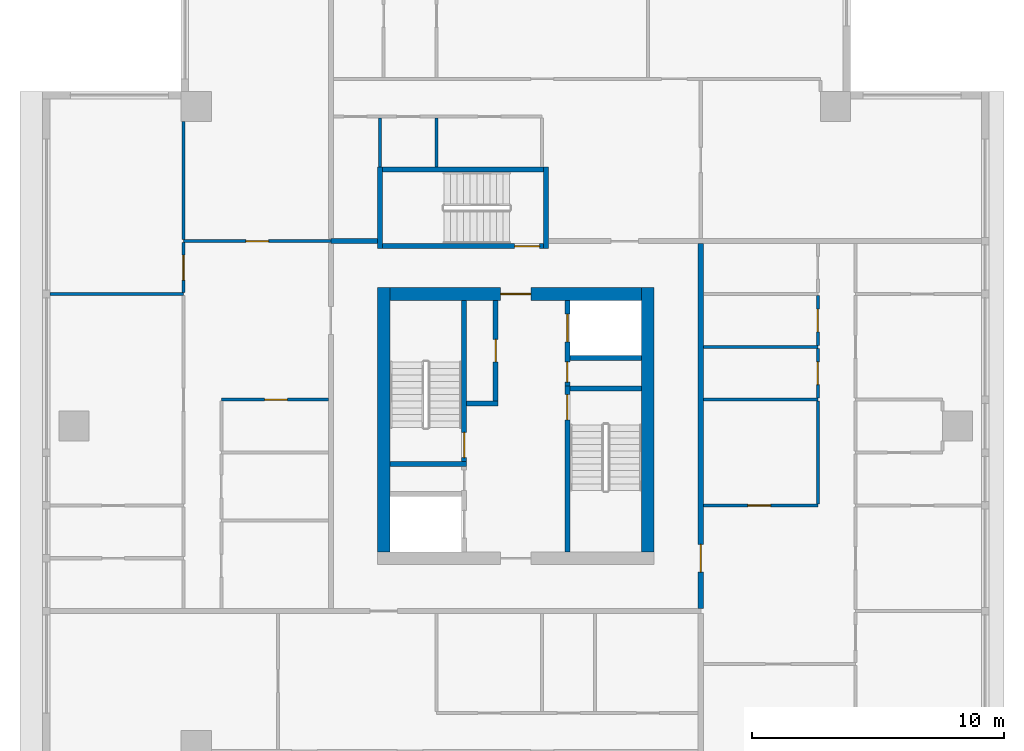
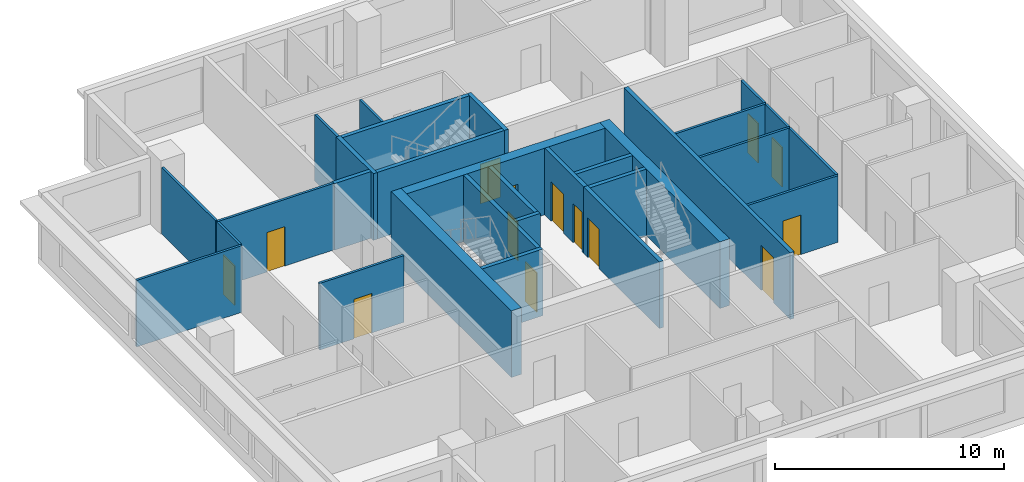
# One storey, part 3 of 8: 30 walls, 14 doors, 14 openings.
"""IFC4 building model written with IfcOpenShell, lengths in metres."""

from ifc_helpers import new_model, si_unit, direction, frame, frame_2d, origin, place, context, subcontext, project, spatial, rectangle, extrude, material, layer, layer_set, type_object, element, fill, save


model = new_model("IFC4")

# Units and contexts
model_context = context("Model", 3, precision=1e-05, world=origin(), true_north=direction((0.0, 1.0)))
body_context = subcontext(model_context, "Body", "Model", "MODEL_VIEW")
ifc_project = project(units=[si_unit("LENGTHUNIT", "METRE"), si_unit("AREAUNIT", "SQUARE_METRE"), si_unit("VOLUMEUNIT", "CUBIC_METRE"), si_unit("PLANEANGLEUNIT", "RADIAN"), si_unit("MASSUNIT", "GRAM", prefix="KILO")], contexts=[model_context])

# Site, building, storey
site_placement = place(None, origin())
site = spatial("IfcSite", under=ifc_project, at=site_placement, CompositionType="ELEMENT")
building_placement = place(site_placement, origin())
building = spatial("IfcBuilding", under=site, at=building_placement, Name="Khepri Terraces", CompositionType="ELEMENT")
storey_placement = place(building_placement, frame((0.0, 0.0, 304.5)))
storey = spatial("IfcBuildingStorey", under=building, at=storey_placement, Name="L73", CompositionType="ELEMENT", Elevation=304.5)

# Wall, opening, door
ifc_material_1 = material(Name="Concrete C40/50", Category="concrete")
ifc_layer_1 = layer(ifc_material_1, 0.199951171875, Name="Concrete C40/50", Category="concrete")
ifc_layer_set_1 = layer_set([ifc_layer_1], Name="Concrete C40/50")
wall_type_1 = type_object("IfcWallType", Name="Core wall 200 C40/50", PredefinedType="SHEAR", material=ifc_layer_set_1)
wall_1_placement = place(storey_placement, frame((2.050048828125, -5.0, 0.0), z_axis=(0.0, 0.0, 1.0), x_axis=(0.0, 1.0, 0.0)))
wall_1 = element("IfcWall", 1, at=wall_1_placement, inside=storey, type_object=wall_type_1, Name="Core wall ST01 L73", PredefinedType="SHEAR", context=body_context, shape_type="SweptSolid", body=[
    extrude(rectangle(XDim=6.60009765625, YDim=0.199951171875, at=frame_2d((3.300048828125, 0.0))), origin(), (0.0, 0.0, 1.0), 3.550048828125),
])
opening_1_placement = place(wall_1_placement, frame((5.25, 0.0, 0.0)))
opening_1 = element("IfcOpeningElement", 2, at=opening_1_placement, cuts=wall_1, Name="Opening L73-C04", PredefinedType="OPENING", context=body_context, shape_type="SweptSolid", body=[
    extrude(rectangle(XDim=1.0, YDim=2.10009765625, at=frame_2d((0.5, 1.050048828125))), frame((0.0, 0.10986328125, 0.0), z_axis=(0.0, -1.0, 0.0), x_axis=(1.0, 0.0, 0.0)), (0.0, 0.0, 1.0), 0.219970703125),
])
ifc_material_2 = material(Name="Painted steel", Category="steel")
door_type_1 = type_object("IfcDoorType", Name="DR-CORE-STAIR-1000", OperationType="NOTDEFINED", PredefinedType="DOOR", material=ifc_material_2)
door_1_placement = place(opening_1_placement, frame((1.0, 0.0, 0.0), z_axis=(0.0, 0.0, 1.0), x_axis=(-1.0, 0.0, 0.0)))
door_1 = element("IfcDoor", 3, at=door_1_placement, inside=storey, type_object=door_type_1, Name="Stair door L73-C04", OperationType="SINGLE_SWING_LEFT", OverallHeight=2.10009765625, OverallWidth=1.0, PredefinedType="DOOR", context=body_context, shape_type="SweptSolid", body=[
    extrude(rectangle(XDim=1.0, YDim=2.10009765625, at=frame_2d((0.5, 1.050048828125))), frame((0.0, 0.02490234375, 0.0), z_axis=(0.0, -1.0, 0.0), x_axis=(1.0, 0.0, 0.0)), (0.0, 0.0, 1.0), 0.050048828125),
])
fill(opening_1, door_1)

# Wall
wall_2_placement = place(storey_placement, frame((-5.0, -1.5, 0.0), z_axis=(0.0, 0.0, 1.0), x_axis=(1.0, 0.0, 0.0)))
element("IfcWall", 4, at=wall_2_placement, inside=storey, type_object=wall_type_1, Name="Core wall ST02 L73", PredefinedType="SHEAR", context=body_context, shape_type="SweptSolid", body=[
    extrude(rectangle(XDim=3.050048828125, YDim=0.199951171875, at=frame_2d((1.52490234375, 0.0))), origin(), (0.0, 0.0, 1.0), 3.550048828125),
])

# Wall, opening, door
wall_3_placement = place(storey_placement, frame((-2.050048828125, -1.39990234375, 0.0), z_axis=(0.0, 0.0, 1.0), x_axis=(0.0, 1.0, 0.0)))
wall_3 = element("IfcWall", 5, at=wall_3_placement, inside=storey, type_object=wall_type_1, Name="Core wall ST03 L73", PredefinedType="SHEAR", context=body_context, shape_type="SweptSolid", body=[
    extrude(rectangle(XDim=6.39990234375, YDim=0.199951171875, at=frame_2d((3.199951171875, 0.0))), origin(), (0.0, 0.0, 1.0), 3.550048828125),
])
opening_2_placement = place(wall_3_placement, frame((0.14990234375, 0.0, 0.0)))
opening_2 = element("IfcOpeningElement", 6, at=opening_2_placement, cuts=wall_3, Name="Opening L73-C03", PredefinedType="OPENING", context=body_context, shape_type="SweptSolid", body=[
    extrude(rectangle(XDim=1.0, YDim=2.10009765625, at=frame_2d((0.5, 1.050048828125))), frame((0.0, 0.10986328125, 0.0), z_axis=(0.0, -1.0, 0.0), x_axis=(1.0, 0.0, 0.0)), (0.0, 0.0, 1.0), 0.219970703125),
])
door_2_placement = place(opening_2_placement, origin())
door_2 = element("IfcDoor", 7, at=door_2_placement, inside=storey, type_object=door_type_1, Name="Stair door L73-C03", OperationType="SINGLE_SWING_LEFT", OverallHeight=2.10009765625, OverallWidth=1.0, PredefinedType="DOOR", context=body_context, shape_type="SweptSolid", body=[
    extrude(rectangle(XDim=1.0, YDim=2.10009765625, at=frame_2d((0.5, 1.050048828125))), frame((0.0, 0.02490234375, 0.0), z_axis=(0.0, -1.0, 0.0), x_axis=(1.0, 0.0, 0.0)), (0.0, 0.0, 1.0), 0.050048828125),
])
fill(opening_2, door_2)

# Walls
wall_4_placement = place(storey_placement, frame((2.14990234375, 1.5, 0.0), z_axis=(0.0, 0.0, 1.0), x_axis=(1.0, 0.0, 0.0)))
element("IfcWall", 8, at=wall_4_placement, inside=storey, type_object=wall_type_1, Name="Core wall ST04 L73", PredefinedType="SHEAR", context=body_context, shape_type="SweptSolid", body=[
    extrude(rectangle(XDim=2.85009765625, YDim=0.199951171875, at=frame_2d((1.425048828125, 0.0))), origin(), (0.0, 0.0, 1.0), 3.550048828125),
])
wall_5_placement = place(storey_placement, frame((-1.949951171875, 0.89990234375, 0.0), z_axis=(0.0, 0.0, 1.0), x_axis=(1.0, 0.0, 0.0)))
element("IfcWall", 9, at=wall_5_placement, inside=storey, type_object=wall_type_1, Name="Core wall SH03 L73", PredefinedType="SHEAR", context=body_context, shape_type="SweptSolid", body=[
    extrude(rectangle(XDim=1.25, YDim=0.199951171875, at=frame_2d((0.625, 0.0))), origin(), (0.0, 0.0, 1.0), 3.550048828125),
])

# Wall, opening, door
wall_6_placement = place(storey_placement, frame((-0.800048828125, 1.0, 0.0), z_axis=(0.0, 0.0, 1.0), x_axis=(0.0, 1.0, 0.0)))
wall_6 = element("IfcWall", 10, at=wall_6_placement, inside=storey, type_object=wall_type_1, Name="Core wall SH04 L73", PredefinedType="SHEAR", context=body_context, shape_type="SweptSolid", body=[
    extrude(rectangle(XDim=4.0, YDim=0.199951171875, at=frame_2d((2.0, 0.0))), origin(), (0.0, 0.0, 1.0), 3.550048828125),
])
opening_3_placement = place(wall_6_placement, frame((1.550048828125, 0.0, 0.0)))
opening_3 = element("IfcOpeningElement", 11, at=opening_3_placement, cuts=wall_6, Name="Opening L73-C08", PredefinedType="OPENING", context=body_context, shape_type="SweptSolid", body=[
    extrude(rectangle(XDim=0.89990234375, YDim=2.10009765625, at=frame_2d((0.449951171875, 1.050048828125))), frame((0.0, 0.10986328125, 0.0), z_axis=(0.0, -1.0, 0.0), x_axis=(1.0, 0.0, 0.0)), (0.0, 0.0, 1.0), 0.219970703125),
])
door_type_2 = type_object("IfcDoorType", Name="DR-CORE-SERVICE-900", OperationType="NOTDEFINED", PredefinedType="DOOR", material=ifc_material_2)
door_3_placement = place(opening_3_placement, origin())
door_3 = element("IfcDoor", 12, at=door_3_placement, inside=storey, type_object=door_type_2, Name="Service room door L73-C08", OperationType="SINGLE_SWING_RIGHT", OverallHeight=2.10009765625, OverallWidth=0.89990234375, PredefinedType="DOOR", context=body_context, shape_type="SweptSolid", body=[
    extrude(rectangle(XDim=0.89990234375, YDim=2.10009765625, at=frame_2d((0.449951171875, 1.050048828125))), frame((0.0, 0.02490234375, 0.0), z_axis=(0.0, -1.0, 0.0), x_axis=(1.0, 0.0, 0.0)), (0.0, 0.0, 1.0), 0.050048828125),
])
fill(opening_3, door_3)

# Wall, openings, doors
wall_7_placement = place(storey_placement, frame((2.050048828125, 1.60009765625, 0.0), z_axis=(0.0, 0.0, 1.0), x_axis=(0.0, 1.0, 0.0)))
wall_7 = element("IfcWall", 13, at=wall_7_placement, inside=storey, type_object=wall_type_1, Name="Core wall SH05 L73", PredefinedType="SHEAR", context=body_context, shape_type="SweptSolid", body=[
    extrude(rectangle(XDim=3.39990234375, YDim=0.199951171875, at=frame_2d((1.699951171875, 0.0))), origin(), (0.0, 0.0, 1.0), 3.550048828125),
])
opening_4_placement = place(wall_7_placement, frame((1.75, 0.0, 0.0)))
opening_4 = element("IfcOpeningElement", 14, at=opening_4_placement, cuts=wall_7, Name="Opening L73-C01", PredefinedType="OPENING", context=body_context, shape_type="SweptSolid", body=[
    extrude(rectangle(XDim=1.10009765625, YDim=2.10009765625, at=frame_2d((0.550048828125, 1.050048828125))), frame((0.0, 0.10986328125, 0.0), z_axis=(0.0, -1.0, 0.0), x_axis=(1.0, 0.0, 0.0)), (0.0, 0.0, 1.0), 0.219970703125),
])
opening_5_placement = place(wall_7_placement, frame((0.14990234375, 0.0, 0.0)))
opening_5 = element("IfcOpeningElement", 15, at=opening_5_placement, cuts=wall_7, Name="Opening L73-C05", PredefinedType="OPENING", context=body_context, shape_type="SweptSolid", body=[
    extrude(rectangle(XDim=0.800048828125, YDim=2.10009765625, at=frame_2d((0.39990234375, 1.050048828125))), frame((0.0, 0.10986328125, 0.0), z_axis=(0.0, -1.0, 0.0), x_axis=(1.0, 0.0, 0.0)), (0.0, 0.0, 1.0), 0.219970703125),
])
ifc_material_3 = material(Name="Stainless steel 304", Category="steel")
door_type_3 = type_object("IfcDoorType", Name="DR-CORE-FF-LANDING-1100", OperationType="NOTDEFINED", PredefinedType="DOOR", material=ifc_material_3)
door_4_placement = place(opening_4_placement, origin())
door_4 = element("IfcDoor", 16, at=door_4_placement, inside=storey, type_object=door_type_3, Name="Firefighting lift landing door L73-C01", OperationType="SLIDING_TO_LEFT", OverallHeight=2.10009765625, OverallWidth=1.10009765625, PredefinedType="DOOR", context=body_context, shape_type="SweptSolid", body=[
    extrude(rectangle(XDim=1.10009765625, YDim=2.10009765625, at=frame_2d((0.550048828125, 1.050048828125))), frame((0.0, 0.02490234375, 0.0), z_axis=(0.0, -1.0, 0.0), x_axis=(1.0, 0.0, 0.0)), (0.0, 0.0, 1.0), 0.050048828125),
])
fill(opening_4, door_4)
door_type_4 = type_object("IfcDoorType", Name="DR-CORE-RISER-800", OperationType="NOTDEFINED", PredefinedType="DOOR", material=ifc_material_2)
door_5_placement = place(opening_5_placement, frame((0.800048828125, 0.0, 0.0), z_axis=(0.0, 0.0, 1.0), x_axis=(-1.0, 0.0, 0.0)))
door_5 = element("IfcDoor", 17, at=door_5_placement, inside=storey, type_object=door_type_4, Name="Riser door L73-C05", OperationType="SINGLE_SWING_RIGHT", OverallHeight=2.10009765625, OverallWidth=0.800048828125, PredefinedType="DOOR", context=body_context, shape_type="SweptSolid", body=[
    extrude(rectangle(XDim=0.800048828125, YDim=2.10009765625, at=frame_2d((0.39990234375, 1.050048828125))), frame((0.0, 0.02490234375, 0.0), z_axis=(0.0, -1.0, 0.0), x_axis=(1.0, 0.0, 0.0)), (0.0, 0.0, 1.0), 0.050048828125),
])
fill(opening_5, door_5)

# Walls
wall_8_placement = place(storey_placement, frame((2.14990234375, 2.699951171875, 0.0), z_axis=(0.0, 0.0, 1.0), x_axis=(1.0, 0.0, 0.0)))
element("IfcWall", 18, at=wall_8_placement, inside=storey, type_object=wall_type_1, Name="Core wall SH06 L73", PredefinedType="SHEAR", context=body_context, shape_type="SweptSolid", body=[
    extrude(rectangle(XDim=2.85009765625, YDim=0.199951171875, at=frame_2d((1.425048828125, 0.0))), origin(), (0.0, 0.0, 1.0), 3.550048828125),
])
for number, where, z_axis, x_axis, name in (
    (19, (-5.39990234375, 7.050048828125, 0.0), (0.0, 0.0, 1.0), (0.0, 1.0, 0.0), "Core wall S3W L73"),
    (20, (1.199951171875, 7.050048828125, 0.0), (0.0, 0.0, 1.0), (0.0, 1.0, 0.0), "Core wall S3E L73"),
):
    element("IfcWall", number, at=place(storey_placement, frame(where, z_axis=z_axis, x_axis=x_axis)), inside=storey, type_object=wall_type_1, Name=name, PredefinedType="SHEAR", context=body_context, shape_type="SweptSolid", body=[
        extrude(rectangle(XDim=3.25, YDim=0.199951171875, at=frame_2d((1.625, 0.0))), origin(), (0.0, 0.0, 1.0), 3.550048828125),
    ])

# Wall, opening, door
wall_9_placement = place(storey_placement, frame((-5.300048828125, 7.14990234375, 0.0), z_axis=(0.0, 0.0, 1.0), x_axis=(1.0, 0.0, 0.0)))
wall_9 = element("IfcWall", 21, at=wall_9_placement, inside=storey, type_object=wall_type_1, Name="Core wall S3S L73", PredefinedType="SHEAR", context=body_context, shape_type="SweptSolid", body=[
    extrude(rectangle(XDim=6.400146484375, YDim=0.199951171875, at=frame_2d((3.2001953125, 0.0))), origin(), (0.0, 0.0, 1.0), 3.550048828125),
])
opening_6_placement = place(wall_9_placement, frame((5.25, 0.0, 0.0)))
opening_6 = element("IfcOpeningElement", 22, at=opening_6_placement, cuts=wall_9, Name="Opening L73-C07", PredefinedType="OPENING", context=body_context, shape_type="SweptSolid", body=[
    extrude(rectangle(XDim=1.0, YDim=2.10009765625, at=frame_2d((0.5, 1.050048828125))), frame((0.0, 0.10986328125, 0.0), z_axis=(0.0, -1.0, 0.0), x_axis=(1.0, 0.0, 0.0)), (0.0, 0.0, 1.0), 0.219970703125),
])
door_6_placement = place(opening_6_placement, origin())
door_6 = element("IfcDoor", 23, at=door_6_placement, inside=storey, type_object=door_type_1, Name="Stair door L73-C07", OperationType="SINGLE_SWING_RIGHT", OverallHeight=2.10009765625, OverallWidth=1.0, PredefinedType="DOOR", context=body_context, shape_type="SweptSolid", body=[
    extrude(rectangle(XDim=1.0, YDim=2.10009765625, at=frame_2d((0.5, 1.050048828125))), frame((0.0, 0.02490234375, 0.0), z_axis=(0.0, -1.0, 0.0), x_axis=(1.0, 0.0, 0.0)), (0.0, 0.0, 1.0), 0.050048828125),
])
fill(opening_6, door_6)

# Walls
wall_10_placement = place(storey_placement, frame((-5.300048828125, 10.199951171875, 0.0), z_axis=(0.0, 0.0, 1.0), x_axis=(1.0, 0.0, 0.0)))
element("IfcWall", 24, at=wall_10_placement, inside=storey, type_object=wall_type_1, Name="Core wall S3N L73", PredefinedType="SHEAR", context=body_context, shape_type="SweptSolid", body=[
    extrude(rectangle(XDim=6.400146484375, YDim=0.199951171875, at=frame_2d((3.2001953125, 0.0))), origin(), (0.0, 0.0, 1.0), 3.550048828125),
])
ifc_layer_2 = layer(ifc_material_1, 0.5, Name="Concrete C40/50", Category="concrete")
ifc_layer_set_2 = layer_set([ifc_layer_2], Name="Concrete C40/50")
wall_type_2 = type_object("IfcWallType", Name="Core wall 500 C40/50", PredefinedType="SHEAR", material=ifc_layer_set_2)
for number, where, z_axis, x_axis, name in (
    (25, (-5.25, -5.0, 0.0), (0.0, 0.0, 1.0), (0.0, 1.0, 0.0), "Core wall BX02 L73"),
    (26, (5.25, -5.0, 0.0), (0.0, 0.0, 1.0), (0.0, 1.0, 0.0), "Core wall BX03 L73"),
):
    element("IfcWall", number, at=place(storey_placement, frame(where, z_axis=z_axis, x_axis=x_axis)), inside=storey, type_object=wall_type_2, Name=name, PredefinedType="SHEAR", context=body_context, shape_type="SweptSolid", body=[
        extrude(rectangle(XDim=10.5, YDim=0.5, at=frame_2d((5.25, 0.0))), origin(), (0.0, 0.0, 1.0), 3.550048828125),
    ])

# Wall, opening, door
wall_11_placement = place(storey_placement, frame((-5.0, 5.25, 0.0), z_axis=(0.0, 0.0, 1.0), x_axis=(1.0, 0.0, 0.0)))
wall_11 = element("IfcWall", 27, at=wall_11_placement, inside=storey, type_object=wall_type_2, Name="Core wall BX04 L73", PredefinedType="SHEAR", context=body_context, shape_type="SweptSolid", body=[
    extrude(rectangle(XDim=10.0, YDim=0.5, at=frame_2d((5.0, 0.0))), origin(), (0.0, 0.0, 1.0), 3.550048828125),
])
opening_7_placement = place(wall_11_placement, frame((4.39990234375, 0.0, 0.0)))
opening_7 = element("IfcOpeningElement", 28, at=opening_7_placement, cuts=wall_11, Name="Opening L73-C09", PredefinedType="OPENING", context=body_context, shape_type="SweptSolid", body=[
    extrude(rectangle(XDim=1.199951171875, YDim=2.10009765625, at=frame_2d((0.60009765625, 1.050048828125))), frame((0.0, 0.260009765625, 0.0), z_axis=(0.0, -1.0, 0.0), x_axis=(1.0, 0.0, 0.0)), (0.0, 0.0, 1.0), 0.52001953125),
])
door_type_5 = type_object("IfcDoorType", Name="DR-CORE-FF-LOBBY-1200", OperationType="NOTDEFINED", PredefinedType="DOOR", material=ifc_material_2)
door_7_placement = place(opening_7_placement, origin())
door_7 = element("IfcDoor", 29, at=door_7_placement, inside=storey, type_object=door_type_5, Name="Firefighting lobby door L73-C09", OperationType="SINGLE_SWING_RIGHT", OverallHeight=2.10009765625, OverallWidth=1.199951171875, PredefinedType="DOOR", context=body_context, shape_type="SweptSolid", body=[
    extrude(rectangle(XDim=1.199951171875, YDim=2.10009765625, at=frame_2d((0.60009765625, 1.050048828125))), frame((0.0, 0.02490234375, 0.0), z_axis=(0.0, -1.0, 0.0), x_axis=(1.0, 0.0, 0.0)), (0.0, 0.0, 1.0), 0.050048828125),
])
fill(opening_7, door_7)

ifc_material_4 = material(Name="Fire-rated gypsum plasterboard partition, mineral wool")
ifc_layer_3 = layer(ifc_material_4, 0.199951171875, Name="Fire-rated gypsum plasterboard partition, mineral wool")
ifc_layer_set_3 = layer_set([ifc_layer_3], Name="Fire-rated gypsum plasterboard partition, mineral wool")
wall_type_3 = type_object("IfcWallType", Name="WL-CORR-200", PredefinedType="PARTITIONING", material=ifc_layer_set_3)
wall_12_placement = place(storey_placement, frame((7.35009765625, -7.25, 0.0), z_axis=(0.0, 0.0, 1.0), x_axis=(0.0, 1.0, 0.0)))
wall_12 = element("IfcWall", 30, at=wall_12_placement, inside=storey, type_object=wall_type_3, Name="Partition P-023 L73", PredefinedType="PARTITIONING", context=body_context, shape_type="SweptSolid", body=[
    extrude(rectangle(XDim=14.5, YDim=0.199951171875, at=frame_2d((7.25, 0.0))), origin(), (0.0, 0.0, 1.0), 3.550048828125),
])
opening_8_placement = place(wall_12_placement, frame((1.449951171875, 0.0, 0.0)))
opening_8 = element("IfcOpeningElement", 31, at=opening_8_placement, cuts=wall_12, Name="Opening D1", PredefinedType="OPENING", context=body_context, shape_type="SweptSolid", body=[
    extrude(rectangle(XDim=1.10009765625, YDim=2.39990234375, at=frame_2d((0.550048828125, 1.199951171875))), frame((0.0, 0.10986328125, 0.0), z_axis=(0.0, -1.0, 0.0), x_axis=(1.0, 0.0, 0.0)), (0.0, 0.0, 1.0), 0.219970703125),
])
ifc_material_5 = material(Name="Solid-core timber door leaf, flat entrance door", Category="wood")
door_type_6 = type_object("IfcDoorType", Name="DR-ENT-1100", OperationType="NOTDEFINED", PredefinedType="DOOR", material=ifc_material_5)
door_8_placement = place(opening_8_placement, frame((1.10009765625, 0.0, 0.0), z_axis=(0.0, 0.0, 1.0), x_axis=(-1.0, 0.0, 0.0)))
door_8 = element("IfcDoor", 32, at=door_8_placement, inside=storey, type_object=door_type_6, Name="Flat B1 entrance door", OperationType="SINGLE_SWING_RIGHT", OverallHeight=2.39990234375, OverallWidth=1.10009765625, PredefinedType="DOOR", context=body_context, shape_type="SweptSolid", body=[
    extrude(rectangle(XDim=1.10009765625, YDim=2.39990234375, at=frame_2d((0.550048828125, 1.199951171875))), frame((0.0, 0.02490234375, 0.0), z_axis=(0.0, -1.0, 0.0), x_axis=(1.0, 0.0, 0.0)), (0.0, 0.0, 1.0), 0.050048828125),
])
fill(opening_8, door_8)

# Wall
wall_13_placement = place(storey_placement, frame((-7.35009765625, 7.35009765625, 0.0), z_axis=(0.0, 0.0, 1.0), x_axis=(1.0, 0.0, 0.0)))
element("IfcWall", 33, at=wall_13_placement, inside=storey, type_object=wall_type_3, Name="Partition P-054 L73", PredefinedType="PARTITIONING", context=body_context, shape_type="SweptSolid", body=[
    extrude(rectangle(XDim=1.85009765625, YDim=0.199951171875, at=frame_2d((0.925048828125, 0.0))), origin(), (0.0, 0.0, 1.0), 3.550048828125),
])

# Wall, opening, door
ifc_material_6 = material(Name="Gypsum plasterboard partition")
ifc_layer_4 = layer(ifc_material_6, 0.1201171875, Name="Gypsum plasterboard partition")
ifc_layer_set_4 = layer_set([ifc_layer_4], Name="Gypsum plasterboard partition")
wall_type_4 = type_object("IfcWallType", Name="WL-PART-120", PredefinedType="PARTITIONING", material=ifc_layer_set_4)
wall_14_placement = place(storey_placement, frame((7.449951171875, -3.14990234375, 0.0), z_axis=(0.0, 0.0, 1.0), x_axis=(1.0, 0.0, 0.0)))
wall_14 = element("IfcWall", 34, at=wall_14_placement, inside=storey, type_object=wall_type_4, Name="Partition P-029 L73", PredefinedType="PARTITIONING", context=body_context, shape_type="SweptSolid", body=[
    extrude(rectangle(XDim=4.550048828125, YDim=0.1201171875, at=frame_2d((2.27490234375, 0.0))), origin(), (0.0, 0.0, 1.0), 3.550048828125),
])
opening_9_placement = place(wall_14_placement, frame((1.77490234375, 0.0, 0.0)))
opening_9 = element("IfcOpeningElement", 35, at=opening_9_placement, cuts=wall_14, Name="Opening D3", PredefinedType="OPENING", context=body_context, shape_type="SweptSolid", body=[
    extrude(rectangle(XDim=0.89990234375, YDim=2.10009765625, at=frame_2d((0.449951171875, 1.050048828125))), frame((0.0, 0.070068359375, 0.0), z_axis=(0.0, -1.0, 0.0), x_axis=(1.0, 0.0, 0.0)), (0.0, 0.0, 1.0), 0.14013671875),
])
ifc_material_7 = material(Name="Timber door leaf", Category="wood")
door_type_7 = type_object("IfcDoorType", Name="DR-INT-900", OperationType="NOTDEFINED", PredefinedType="DOOR", material=ifc_material_7)
door_9_placement = place(opening_9_placement, origin())
door_9 = element("IfcDoor", 36, at=door_9_placement, inside=storey, type_object=door_type_7, Name="Door Kitchen", OperationType="SINGLE_SWING_LEFT", OverallHeight=2.10009765625, OverallWidth=0.89990234375, PredefinedType="DOOR", context=body_context, shape_type="SweptSolid", body=[
    extrude(rectangle(XDim=0.89990234375, YDim=2.10009765625, at=frame_2d((0.449951171875, 1.050048828125))), frame((0.0, 0.02490234375, 0.0), z_axis=(0.0, -1.0, 0.0), x_axis=(1.0, 0.0, 0.0)), (0.0, 0.0, 1.0), 0.050048828125),
])
fill(opening_9, door_9)

# Wall
wall_15_placement = place(storey_placement, frame((12.0, -3.090087890625, 0.0), z_axis=(0.0, 0.0, 1.0), x_axis=(0.0, 1.0, 0.0)))
element("IfcWall", 37, at=wall_15_placement, inside=storey, type_object=wall_type_4, Name="Partition P-032 L73", PredefinedType="PARTITIONING", context=body_context, shape_type="SweptSolid", body=[
    extrude(rectangle(XDim=4.080078125, YDim=0.1201171875, at=frame_2d((2.0400390625, 0.0))), origin(), (0.0, 0.0, 1.0), 3.550048828125),
])

# Wall, opening, door
wall_16_placement = place(storey_placement, frame((-11.699951171875, 1.050048828125, 0.0), z_axis=(0.0, 0.0, 1.0), x_axis=(1.0, 0.0, 0.0)))
wall_16 = element("IfcWall", 38, at=wall_16_placement, inside=storey, type_object=wall_type_4, Name="Partition P-040 L73", PredefinedType="PARTITIONING", context=body_context, shape_type="SweptSolid", body=[
    extrude(rectangle(XDim=4.25, YDim=0.1201171875, at=frame_2d((2.125, 0.0))), origin(), (0.0, 0.0, 1.0), 3.550048828125),
])
opening_10_placement = place(wall_16_placement, frame((1.72509765625, 0.0, 0.0)))
opening_10 = element("IfcOpeningElement", 39, at=opening_10_placement, cuts=wall_16, Name="Opening D4", PredefinedType="OPENING", context=body_context, shape_type="SweptSolid", body=[
    extrude(rectangle(XDim=0.89990234375, YDim=2.10009765625, at=frame_2d((0.449951171875, 1.050048828125))), frame((0.0, 0.070068359375, 0.0), z_axis=(0.0, -1.0, 0.0), x_axis=(1.0, 0.0, 0.0)), (0.0, 0.0, 1.0), 0.14013671875),
])
ifc_material_8 = material(Name="Timber door leaf, moisture resistant", Category="wood")
door_type_8 = type_object("IfcDoorType", Name="DR-WET-900", OperationType="NOTDEFINED", PredefinedType="DOOR", material=ifc_material_8)
door_10_placement = place(opening_10_placement, frame((0.89990234375, 0.0, 0.0), z_axis=(0.0, 0.0, 1.0), x_axis=(-1.0, 0.0, 0.0)))
door_10 = element("IfcDoor", 40, at=door_10_placement, inside=storey, type_object=door_type_8, Name="Door Guest Bathroom", OperationType="SINGLE_SWING_LEFT", OverallHeight=2.10009765625, OverallWidth=0.89990234375, PredefinedType="DOOR", context=body_context, shape_type="SweptSolid", body=[
    extrude(rectangle(XDim=0.89990234375, YDim=2.10009765625, at=frame_2d((0.449951171875, 1.050048828125))), frame((0.0, 0.02490234375, 0.0), z_axis=(0.0, -1.0, 0.0), x_axis=(1.0, 0.0, 0.0)), (0.0, 0.0, 1.0), 0.050048828125),
])
fill(opening_10, door_10)

# Wall
wall_17_placement = place(storey_placement, frame((7.449951171875, 1.050048828125, 0.0), z_axis=(0.0, 0.0, 1.0), x_axis=(1.0, 0.0, 0.0)))
element("IfcWall", 41, at=wall_17_placement, inside=storey, type_object=wall_type_4, Name="Partition P-041 L73", PredefinedType="PARTITIONING", context=body_context, shape_type="SweptSolid", body=[
    extrude(rectangle(XDim=4.550048828125, YDim=0.1201171875, at=frame_2d((2.27490234375, 0.0))), origin(), (0.0, 0.0, 1.0), 3.550048828125),
])

# Wall, opening, door
wall_18_placement = place(storey_placement, frame((12.0, 1.110107421875, 0.0), z_axis=(0.0, 0.0, 1.0), x_axis=(0.0, 1.0, 0.0)))
wall_18 = element("IfcWall", 42, at=wall_18_placement, inside=storey, type_object=wall_type_4, Name="Partition P-043 L73", PredefinedType="PARTITIONING", context=body_context, shape_type="SweptSolid", body=[
    extrude(rectangle(XDim=1.97998046875, YDim=0.1201171875, at=frame_2d((0.989990234375, 0.0))), origin(), (0.0, 0.0, 1.0), 3.550048828125),
])
opening_11_placement = place(wall_18_placement, frame((0.5400390625, 0.0, 0.0)))
opening_11 = element("IfcOpeningElement", 43, at=opening_11_placement, cuts=wall_18, Name="Opening D4", PredefinedType="OPENING", context=body_context, shape_type="SweptSolid", body=[
    extrude(rectangle(XDim=0.89990234375, YDim=2.10009765625, at=frame_2d((0.449951171875, 1.050048828125))), frame((0.0, 0.070068359375, 0.0), z_axis=(0.0, -1.0, 0.0), x_axis=(1.0, 0.0, 0.0)), (0.0, 0.0, 1.0), 0.14013671875),
])
door_11_placement = place(opening_11_placement, origin())
door_11 = element("IfcDoor", 44, at=door_11_placement, inside=storey, type_object=door_type_8, Name="Door Guest Bathroom", OperationType="SINGLE_SWING_RIGHT", OverallHeight=2.10009765625, OverallWidth=0.89990234375, PredefinedType="DOOR", context=body_context, shape_type="SweptSolid", body=[
    extrude(rectangle(XDim=0.89990234375, YDim=2.10009765625, at=frame_2d((0.449951171875, 1.050048828125))), frame((0.0, 0.02490234375, 0.0), z_axis=(0.0, -1.0, 0.0), x_axis=(1.0, 0.0, 0.0)), (0.0, 0.0, 1.0), 0.050048828125),
])
fill(opening_11, door_11)

# Wall
wall_19_placement = place(storey_placement, frame((7.449951171875, 3.14990234375, 0.0), z_axis=(0.0, 0.0, 1.0), x_axis=(1.0, 0.0, 0.0)))
element("IfcWall", 45, at=wall_19_placement, inside=storey, type_object=wall_type_4, Name="Partition P-045 L73", PredefinedType="PARTITIONING", context=body_context, shape_type="SweptSolid", body=[
    extrude(rectangle(XDim=4.550048828125, YDim=0.1201171875, at=frame_2d((2.27490234375, 0.0))), origin(), (0.0, 0.0, 1.0), 3.550048828125),
])

# Wall, opening, door
wall_20_placement = place(storey_placement, frame((12.0, 3.2099609375, 0.0), z_axis=(0.0, 0.0, 1.0), x_axis=(0.0, 1.0, 0.0)))
wall_20 = element("IfcWall", 46, at=wall_20_placement, inside=storey, type_object=wall_type_4, Name="Partition P-046 L73", PredefinedType="PARTITIONING", context=body_context, shape_type="SweptSolid", body=[
    extrude(rectangle(XDim=1.97998046875, YDim=0.1201171875, at=frame_2d((0.989990234375, 0.0))), origin(), (0.0, 0.0, 1.0), 3.550048828125),
])
opening_12_placement = place(wall_20_placement, frame((0.5400390625, 0.0, 0.0)))
opening_12 = element("IfcOpeningElement", 47, at=opening_12_placement, cuts=wall_20, Name="Opening D3", PredefinedType="OPENING", context=body_context, shape_type="SweptSolid", body=[
    extrude(rectangle(XDim=0.89990234375, YDim=2.10009765625, at=frame_2d((0.449951171875, 1.050048828125))), frame((0.0, 0.070068359375, 0.0), z_axis=(0.0, -1.0, 0.0), x_axis=(1.0, 0.0, 0.0)), (0.0, 0.0, 1.0), 0.14013671875),
])
door_12_placement = place(opening_12_placement, origin())
door_12 = element("IfcDoor", 48, at=door_12_placement, inside=storey, type_object=door_type_7, Name="Door Utility Room", OperationType="SINGLE_SWING_RIGHT", OverallHeight=2.10009765625, OverallWidth=0.89990234375, PredefinedType="DOOR", context=body_context, shape_type="SweptSolid", body=[
    extrude(rectangle(XDim=0.89990234375, YDim=2.10009765625, at=frame_2d((0.449951171875, 1.050048828125))), frame((0.0, 0.02490234375, 0.0), z_axis=(0.0, -1.0, 0.0), x_axis=(1.0, 0.0, 0.0)), (0.0, 0.0, 1.0), 0.050048828125),
])
fill(opening_12, door_12)

# Wall
wall_21_placement = place(storey_placement, frame((-18.5, 5.25, 0.0), z_axis=(0.0, 0.0, 1.0), x_axis=(1.0, 0.0, 0.0)))
element("IfcWall", 49, at=wall_21_placement, inside=storey, type_object=wall_type_4, Name="Partition P-047 L73", PredefinedType="PARTITIONING", context=body_context, shape_type="SweptSolid", body=[
    extrude(rectangle(XDim=5.300048828125, YDim=0.1201171875, at=frame_2d((2.64990234375, 0.0))), origin(), (0.0, 0.0, 1.0), 3.550048828125),
])

# Wall, opening, door
wall_22_placement = place(storey_placement, frame((-13.199951171875, 5.31005859375, 0.0), z_axis=(0.0, 0.0, 1.0), x_axis=(0.0, 1.0, 0.0)))
wall_22 = element("IfcWall", 50, at=wall_22_placement, inside=storey, type_object=wall_type_4, Name="Partition P-050 L73", PredefinedType="PARTITIONING", context=body_context, shape_type="SweptSolid", body=[
    extrude(rectangle(XDim=1.97998046875, YDim=0.1201171875, at=frame_2d((0.989990234375, 0.0))), origin(), (0.0, 0.0, 1.0), 3.550048828125),
])
opening_13_placement = place(wall_22_placement, frame((0.489990234375, 0.0, 0.0)))
opening_13 = element("IfcOpeningElement", 51, at=opening_13_placement, cuts=wall_22, Name="Opening D2", PredefinedType="OPENING", context=body_context, shape_type="SweptSolid", body=[
    extrude(rectangle(XDim=1.0, YDim=2.10009765625, at=frame_2d((0.5, 1.050048828125))), frame((0.0, 0.070068359375, 0.0), z_axis=(0.0, -1.0, 0.0), x_axis=(1.0, 0.0, 0.0)), (0.0, 0.0, 1.0), 0.14013671875),
])
ifc_material_9 = material(Name="Timber door leaf, living room door", Category="wood")
door_type_9 = type_object("IfcDoorType", Name="DR-INT-1000", OperationType="NOTDEFINED", PredefinedType="DOOR", material=ifc_material_9)
door_13_placement = place(opening_13_placement, origin())
door_13 = element("IfcDoor", 52, at=door_13_placement, inside=storey, type_object=door_type_9, Name="Door Living Room", OperationType="SINGLE_SWING_RIGHT", OverallHeight=2.10009765625, OverallWidth=1.0, PredefinedType="DOOR", context=body_context, shape_type="SweptSolid", body=[
    extrude(rectangle(XDim=1.0, YDim=2.10009765625, at=frame_2d((0.5, 1.050048828125))), frame((0.0, 0.02490234375, 0.0), z_axis=(0.0, -1.0, 0.0), x_axis=(1.0, 0.0, 0.0)), (0.0, 0.0, 1.0), 0.050048828125),
])
fill(opening_13, door_13)

wall_23_placement = place(storey_placement, frame((-13.199951171875, 7.35009765625, 0.0), z_axis=(0.0, 0.0, 1.0), x_axis=(1.0, 0.0, 0.0)))
wall_23 = element("IfcWall", 53, at=wall_23_placement, inside=storey, type_object=wall_type_4, Name="Partition P-053 L73", PredefinedType="PARTITIONING", context=body_context, shape_type="SweptSolid", body=[
    extrude(rectangle(XDim=5.849853515625, YDim=0.1201171875, at=frame_2d((2.9248046875, 0.0))), origin(), (0.0, 0.0, 1.0), 3.550048828125),
])
opening_14_placement = place(wall_23_placement, frame((2.47509765625, 0.0, 0.0)))
opening_14 = element("IfcOpeningElement", 54, at=opening_14_placement, cuts=wall_23, Name="Opening D3", PredefinedType="OPENING", context=body_context, shape_type="SweptSolid", body=[
    extrude(rectangle(XDim=0.89990234375, YDim=2.10009765625, at=frame_2d((0.449951171875, 1.050048828125))), frame((0.0, 0.070068359375, 0.0), z_axis=(0.0, -1.0, 0.0), x_axis=(1.0, 0.0, 0.0)), (0.0, 0.0, 1.0), 0.14013671875),
])
door_14_placement = place(opening_14_placement, origin())
door_14 = element("IfcDoor", 55, at=door_14_placement, inside=storey, type_object=door_type_7, Name="Door Home Cinema", OperationType="SINGLE_SWING_RIGHT", OverallHeight=2.10009765625, OverallWidth=0.89990234375, PredefinedType="DOOR", context=body_context, shape_type="SweptSolid", body=[
    extrude(rectangle(XDim=0.89990234375, YDim=2.10009765625, at=frame_2d((0.449951171875, 1.050048828125))), frame((0.0, 0.02490234375, 0.0), z_axis=(0.0, -1.0, 0.0), x_axis=(1.0, 0.0, 0.0)), (0.0, 0.0, 1.0), 0.050048828125),
])
fill(opening_14, door_14)

# Walls
wall_24_placement = place(storey_placement, frame((-13.199951171875, 7.409912109375, 0.0), z_axis=(0.0, 0.0, 1.0), x_axis=(0.0, 1.0, 0.0)))
element("IfcWall", 56, at=wall_24_placement, inside=storey, type_object=wall_type_4, Name="Partition P-056 L73", PredefinedType="PARTITIONING", context=body_context, shape_type="SweptSolid", body=[
    extrude(rectangle(XDim=4.690185546875, YDim=0.1201171875, at=frame_2d((2.34521484375, 0.0))), origin(), (0.0, 0.0, 1.0), 3.550048828125),
])
for number, where, z_axis, x_axis, name in (
    (57, (-5.39990234375, 10.300048828125, 0.0), (0.0, 0.0, 1.0), (0.0, 1.0, 0.0), "Partition P-059 L73"),
    (58, (-3.14990234375, 10.300048828125, 0.0), (0.0, 0.0, 1.0), (0.0, 1.0, 0.0), "Partition P-060 L73"),
):
    element("IfcWall", number, at=place(storey_placement, frame(where, z_axis=z_axis, x_axis=x_axis)), inside=storey, type_object=wall_type_4, Name=name, PredefinedType="PARTITIONING", context=body_context, shape_type="SweptSolid", body=[
        extrude(rectangle(XDim=1.93994140625, YDim=0.1201171875, at=frame_2d((0.969970703125, 0.0))), origin(), (0.0, 0.0, 1.0), 3.550048828125),
    ])

save(model, "model.ifc")
